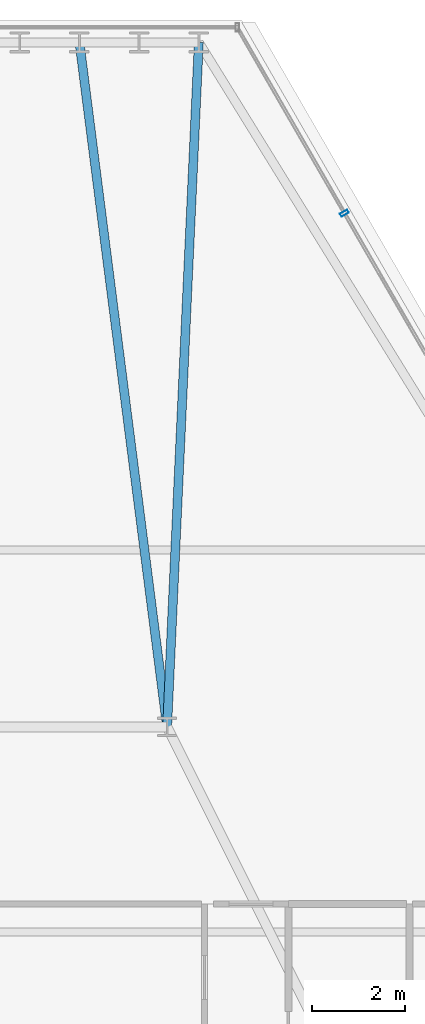
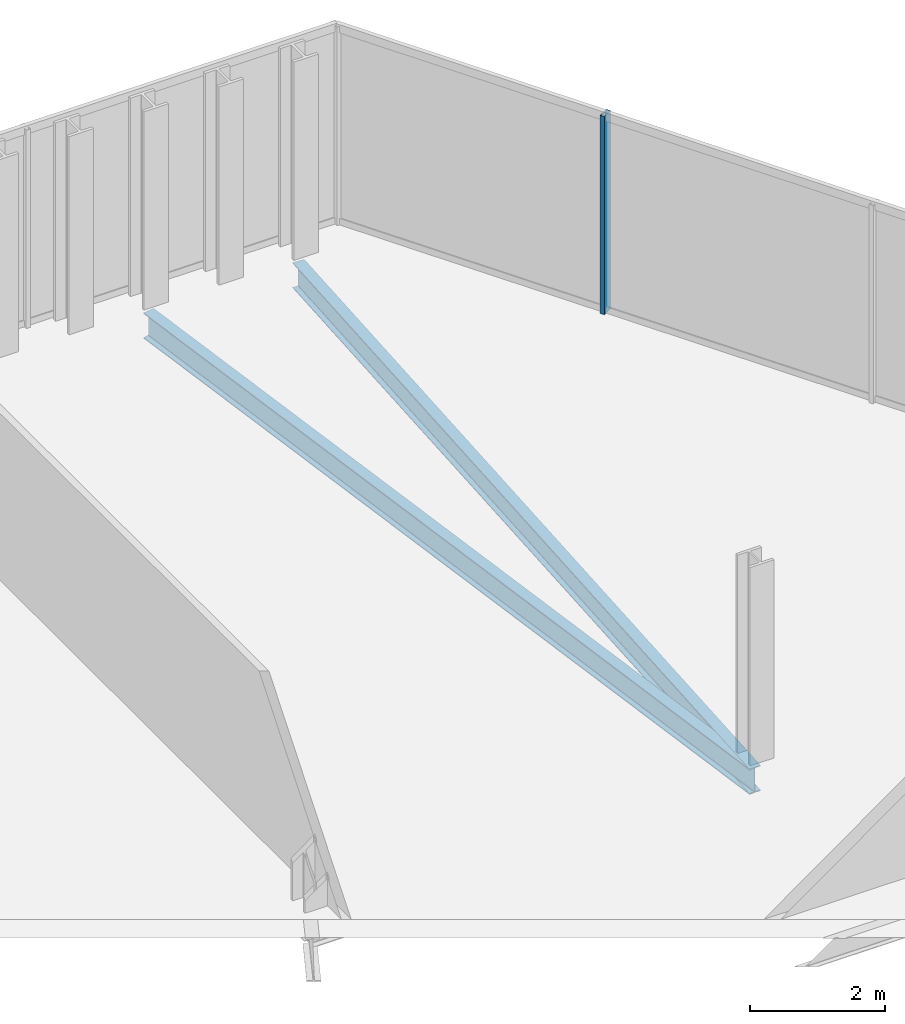
# One storey, part 23 of 33: 2 beams, 1 member, 1 element without a shape of its own.
"""IFC4 building model written with IfcOpenShell, lengths in metres."""

from ifc_helpers import new_model, si_unit, direction, frame, origin, origin_2d, place, context, subcontext, project, spatial, hollow_rectangle, i_section, extrude, material, layer, layer_set, material_profile, profile_set, type_object, element, aggregate, save


model = new_model("IFC4")

# Units and contexts
model_context = context("Model", 3, precision=1e-05, world=origin(), true_north=direction((0.0, 1.0)))
body_context = subcontext(model_context, "Body", "Model", "MODEL_VIEW")
ifc_project = project(units=[si_unit("LENGTHUNIT", "METRE"), si_unit("AREAUNIT", "SQUARE_METRE"), si_unit("VOLUMEUNIT", "CUBIC_METRE"), si_unit("PLANEANGLEUNIT", "RADIAN"), si_unit("MASSUNIT", "GRAM", prefix="KILO")], contexts=[model_context])

# Site, building, storey
site_placement = place(None, origin())
site = spatial("IfcSite", under=ifc_project, at=site_placement, CompositionType="ELEMENT")
building_placement = place(site_placement, origin())
building = spatial("IfcBuilding", under=site, at=building_placement, Name="Ndaravel Arena Tower", CompositionType="ELEMENT")
storey_placement = place(building_placement, frame((0.0, 0.0, 161.199951171875)))
storey = spatial("IfcBuildingStorey", under=building, at=storey_placement, Name="L38", CompositionType="ELEMENT", Elevation=161.199951171875)

# Beams
ifc_material_1 = material(Name="Steel S355", Category="steel")
ifc_material_profile_1 = material_profile(ifc_material_1, i_section(OverallWidth=0.19140625, OverallDepth=0.4599609375, WebThickness=0.010009765625, FlangeThickness=0.01611328125, FilletRadius=0.01025390625, at=origin_2d()), Name="UB 457x191x82")
ifc_profile_set_1 = profile_set([ifc_material_profile_1], Name="Steel S355")
beam_type = type_object("IfcBeamType", Name="BM-GIRD-UB457", PredefinedType="BEAM", material=ifc_profile_set_1)
beam_1_placement = place(storey_placement, frame((46.480224609375, 45.881591796875, -0.449951171875), z_axis=(-0.046278684807, -0.998928567683, 0.0), x_axis=(0.998928567683, -0.046278684807, 0.0)))
element("IfcBeam", 1, at=beam_1_placement, inside=storey, type_object=beam_type, Name="L38 Radial Floor Girder FG-11", PredefinedType="BEAM", context=body_context, shape_type="SweptSolid", body=[
    extrude(i_section(OverallWidth=0.19140625, OverallDepth=0.4599609375, WebThickness=0.010009765625, FlangeThickness=0.01611328125, FilletRadius=0.01025390625, at=origin_2d()), origin(), (0.0, 0.0, 1.0), 14.697509765625),
])
beam_2_placement = place(storey_placement, frame((43.920166015625, 45.881591796875, -0.449951171875), z_axis=(0.127006199429, -0.99190192323, 0.0), x_axis=(0.99190192323, 0.127006199429, 0.0)))
element("IfcBeam", 2, at=beam_2_placement, inside=storey, type_object=beam_type, Name="L38 Radial Floor Girder FG-13", PredefinedType="BEAM", context=body_context, shape_type="SweptSolid", body=[
    extrude(i_section(OverallWidth=0.19140625, OverallDepth=0.4599609375, WebThickness=0.010009765625, FlangeThickness=0.01611328125, FilletRadius=0.01025390625, at=origin_2d()), origin(), (0.0, 0.0, 1.0), 14.801513671875),
])

# Curtain wall, member
ifc_material_2 = material(Name="Aluminium", Category="aluminium")
ifc_layer = layer(ifc_material_2, 0.179931640625)
ifc_layer_set = layer_set([ifc_layer], Name="Aluminium")
curtain_wall_type = type_object("IfcCurtainWallType", Name="CW-SYS-03", PredefinedType="NOTDEFINED", material=ifc_layer_set)
curtain_wall_placement = place(storey_placement, origin())
curtain_wall = element("IfcCurtainWall", 3, at=curtain_wall_placement, inside=storey, type_object=curtain_wall_type, Name="L38 Faceted Crystal Curtain Wall CW-L38-E03", PredefinedType="NOTDEFINED")
ifc_material_3 = material(Name="Aluminium", Category="aluminium")
ifc_material_profile_2 = material_profile(ifc_material_3, hollow_rectangle(XDim=0.074951171875, YDim=0.179931640625, WallThickness=0.00390625, at=origin_2d()), Name="CW MULLION 75x180x4")
ifc_profile_set_2 = profile_set([ifc_material_profile_2], Name="Aluminium")
member_type = type_object("IfcMemberType", Name="MEM-CW-MUL180", PredefinedType="MULLION", material=ifc_profile_set_2)
member_placement = place(storey_placement, frame((49.603759765625, 42.219970703125, 0.0), z_axis=(0.0, 0.0, 1.0), x_axis=(-0.5, 0.866025403784, 0.0)))
member = element("IfcMember", 4, at=member_placement, type_object=member_type, Name="CW-L38-E03 Mullion 07", PredefinedType="MULLION", context=body_context, shape_type="SweptSolid", body=[
    extrude(hollow_rectangle(XDim=0.074951171875, YDim=0.179931640625, WallThickness=0.00390625, at=origin_2d()), origin(), (0.0, 0.0, 1.0), 3.580078125),
])
aggregate(curtain_wall, [member])

save(model, "model.ifc")
